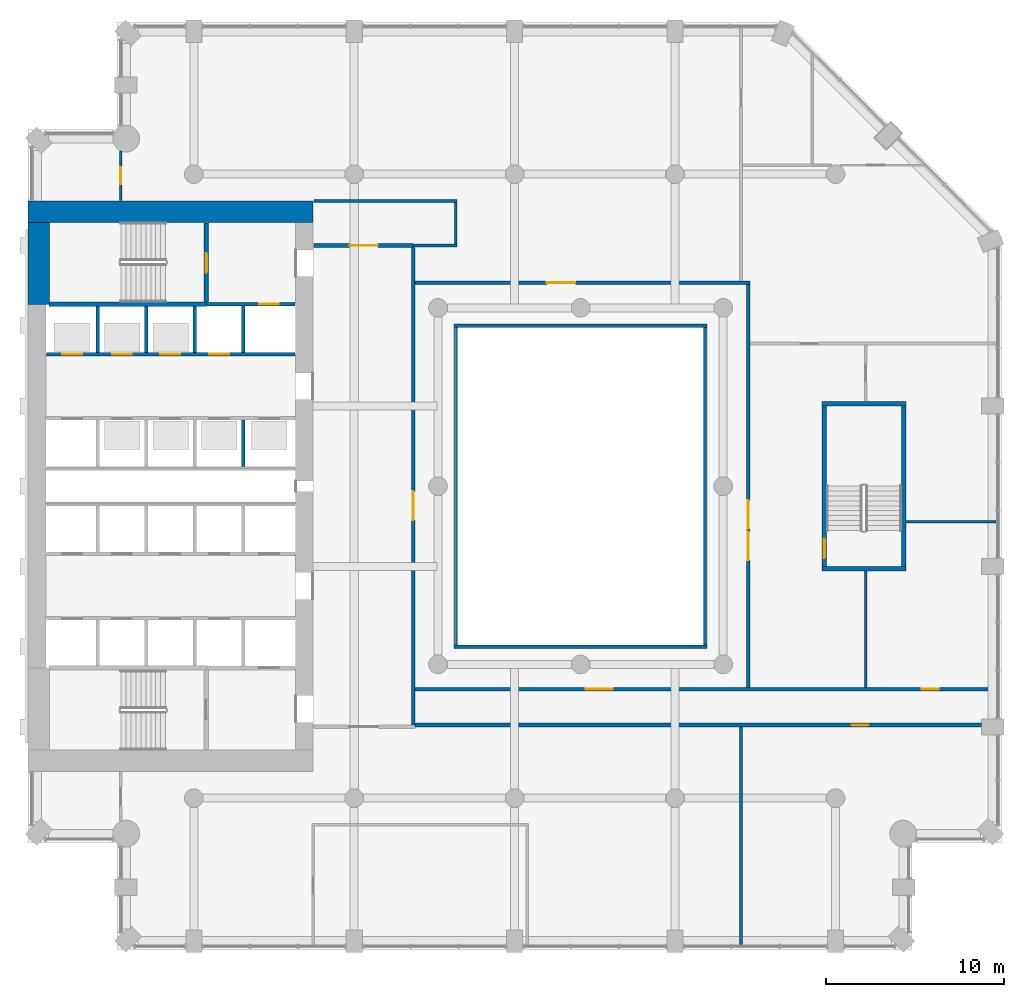
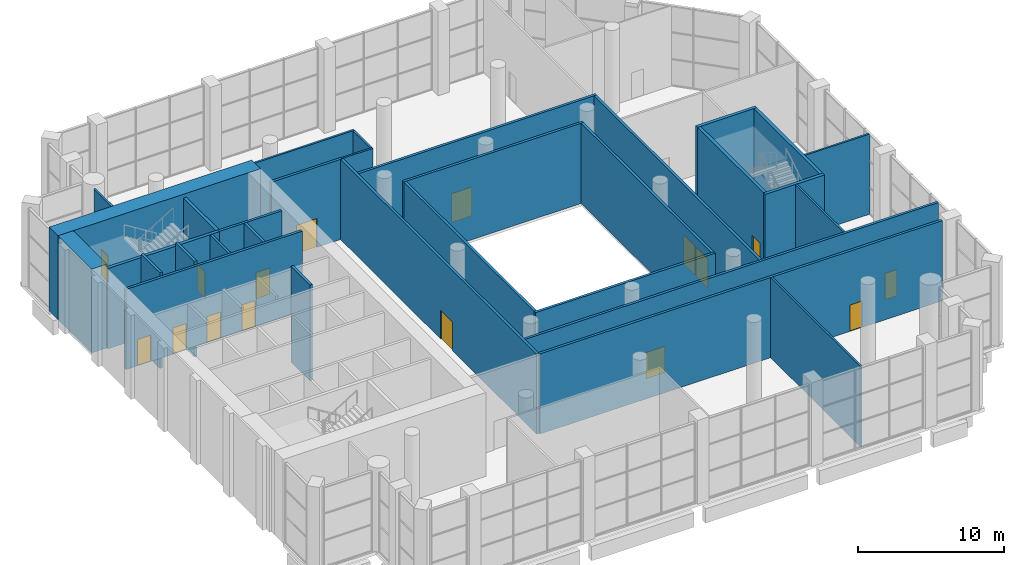
# One storey, part 13 of 22: 32 walls, 16 doors, 16 openings.
"""IFC4 building model written with IfcOpenShell, lengths in metres."""

from ifc_helpers import new_model, si_unit, direction, frame, frame_2d, origin, place, context, subcontext, project, spatial, rectangle, extrude, material, layer, layer_set, type_object, element, fill, save


model = new_model("IFC4")

# Units and contexts
model_context = context("Model", 3, precision=1e-05, world=origin(), true_north=direction((0.0, 1.0)))
body_context = subcontext(model_context, "Body", "Model", "MODEL_VIEW")
ifc_project = project(units=[si_unit("LENGTHUNIT", "METRE"), si_unit("AREAUNIT", "SQUARE_METRE"), si_unit("VOLUMEUNIT", "CUBIC_METRE"), si_unit("PLANEANGLEUNIT", "RADIAN"), si_unit("MASSUNIT", "GRAM", prefix="KILO")], contexts=[model_context])

# Site, building, storey
site_placement = place(None, origin())
site = spatial("IfcSite", under=ifc_project, at=site_placement, CompositionType="ELEMENT")
building_placement = place(site_placement, origin())
building = spatial("IfcBuilding", under=site, at=building_placement, Name="Cypress Arch Tower", CompositionType="ELEMENT")
storey_placement = place(building_placement, frame((0.0, 0.0, 145.5)))
storey = spatial("IfcBuildingStorey", under=building, at=storey_placement, Name="L32", CompositionType="ELEMENT", Elevation=145.5)

# Walls
ifc_material_1 = material(Name="Concrete C80/95", Category="concrete")
ifc_layer_1 = layer(ifc_material_1, 1.199951171875)
ifc_layer_set_1 = layer_set([ifc_layer_1], Name="Core wall CW1200 C80/95")
wall_type_1 = type_object("IfcWallType", Name="Core wall CW1200 C80/95", PredefinedType="SHEAR", material=ifc_layer_set_1)
wall_1_placement = place(storey_placement, frame((-30.0, 15.39990234375, 0.0), z_axis=(0.0, 0.0, 1.0), x_axis=(1.0, 0.0, 0.0)))
element("IfcWall", 1, at=wall_1_placement, inside=storey, type_object=wall_type_1, Name="Core wall", PredefinedType="SHEAR", context=body_context, shape_type="SweptSolid", body=[
    extrude(rectangle(XDim=16.0, YDim=1.199951171875, at=frame_2d((8.0, 0.0))), origin(), (0.0, 0.0, 1.0), 7.0),
])
wall_2_placement = place(storey_placement, frame((-29.39990234375, 10.199951171875, 0.0), z_axis=(0.0, 0.0, 1.0), x_axis=(0.0, 1.0, 0.0)))
element("IfcWall", 2, at=wall_2_placement, inside=storey, type_object=wall_type_1, Name="Core wall", PredefinedType="SHEAR", context=body_context, shape_type="SweptSolid", body=[
    extrude(rectangle(XDim=4.60009765625, YDim=1.199951171875, at=frame_2d((2.300048828125, 0.0))), origin(), (0.0, 0.0, 1.0), 7.0),
])

# Wall, opening, door
ifc_material_2 = material(Name="Concrete blockwork, plastered, rated", Category="masonry")
ifc_layer_2 = layer(ifc_material_2, 0.199951171875)
ifc_layer_set_2 = layer_set([ifc_layer_2], Name="Corridor wall FW200")
wall_type_2 = type_object("IfcWallType", Name="Corridor wall FW200", PredefinedType="PARTITIONING", material=ifc_layer_set_2)
wall_3_placement = place(storey_placement, frame((-13.969970703125, 13.5, 0.0), z_axis=(0.0, 0.0, 1.0), x_axis=(1.0, 0.0, 0.0)))
wall_3 = element("IfcWall", 3, at=wall_3_placement, inside=storey, type_object=wall_type_2, Name="Corridor wall", PredefinedType="PARTITIONING", context=body_context, shape_type="SweptSolid", body=[
    extrude(rectangle(XDim=5.570068359375, YDim=0.199951171875, at=frame_2d((2.78515625, 0.0))), origin(), (0.0, 0.0, 1.0), 6.699951171875),
])
opening_1_placement = place(wall_3_placement, frame((2.0, 0.0, 0.0)))
opening_1 = element("IfcOpeningElement", 4, at=opening_1_placement, cuts=wall_3, Name="Opening D10", PredefinedType="OPENING", context=body_context, shape_type="SweptSolid", body=[
    extrude(rectangle(XDim=1.60009765625, YDim=2.39990234375, at=frame_2d((0.800048828125, 1.199951171875))), frame((0.0, 0.10986328125, 0.0), z_axis=(0.0, -1.0, 0.0), x_axis=(1.0, 0.0, 0.0)), (0.0, 0.0, 1.0), 0.219970703125),
])
ifc_material_3 = material(Name="Black aluminium glazed door", Category="aluminium")
door_type_1 = type_object("IfcDoorType", Name="Amenity door D10 1600x2400", OperationType="DOUBLE_DOOR_SINGLE_SWING", PredefinedType="DOOR", material=ifc_material_3)
door_1_placement = place(opening_1_placement, origin())
door_1 = element("IfcDoor", 5, at=door_1_placement, inside=storey, type_object=door_type_1, Name="Amenity door", OperationType="DOUBLE_DOOR_SINGLE_SWING", OverallHeight=2.39990234375, OverallWidth=1.60009765625, PredefinedType="DOOR", context=body_context, shape_type="SweptSolid", body=[
    extrude(rectangle(XDim=1.60009765625, YDim=2.39990234375, at=frame_2d((0.800048828125, 1.199951171875))), frame((0.0, 0.02490234375, 0.0), z_axis=(0.0, -1.0, 0.0), x_axis=(1.0, 0.0, 0.0)), (0.0, 0.0, 1.0), 0.050048828125),
])
fill(opening_1, door_1)

wall_4_placement = place(storey_placement, frame((-8.39990234375, -13.39990234375, 0.0), z_axis=(0.0, 0.0, 1.0), x_axis=(0.0, 1.0, 0.0)))
wall_4 = element("IfcWall", 6, at=wall_4_placement, inside=storey, type_object=wall_type_2, Name="Corridor wall", PredefinedType="PARTITIONING", context=body_context, shape_type="SweptSolid", body=[
    extrude(rectangle(XDim=26.7998046875, YDim=0.199951171875, at=frame_2d((13.39990234375, 0.0))), origin(), (0.0, 0.0, 1.0), 6.699951171875),
])
opening_2_placement = place(wall_4_placement, frame((11.5, 0.0, 0.0)))
opening_2 = element("IfcOpeningElement", 7, at=opening_2_placement, cuts=wall_4, Name="Opening D10", PredefinedType="OPENING", context=body_context, shape_type="SweptSolid", body=[
    extrude(rectangle(XDim=1.60009765625, YDim=2.39990234375, at=frame_2d((0.800048828125, 1.199951171875))), frame((0.0, 0.10986328125, 0.0), z_axis=(0.0, -1.0, 0.0), x_axis=(1.0, 0.0, 0.0)), (0.0, 0.0, 1.0), 0.219970703125),
])
door_2_placement = place(opening_2_placement, origin())
door_2 = element("IfcDoor", 8, at=door_2_placement, inside=storey, type_object=door_type_1, Name="Amenity door", OperationType="DOUBLE_DOOR_SINGLE_SWING", OverallHeight=2.39990234375, OverallWidth=1.60009765625, PredefinedType="DOOR", context=body_context, shape_type="SweptSolid", body=[
    extrude(rectangle(XDim=1.60009765625, YDim=2.39990234375, at=frame_2d((0.800048828125, 1.199951171875))), frame((0.0, 0.02490234375, 0.0), z_axis=(0.0, -1.0, 0.0), x_axis=(1.0, 0.0, 0.0)), (0.0, 0.0, 1.0), 0.050048828125),
])
fill(opening_2, door_2)

wall_5_placement = place(storey_placement, frame((-8.300048828125, -13.39990234375, 0.0), z_axis=(0.0, 0.0, 1.0), x_axis=(1.0, 0.0, 0.0)))
wall_5 = element("IfcWall", 9, at=wall_5_placement, inside=storey, type_object=wall_type_2, Name="Corridor wall", PredefinedType="PARTITIONING", context=body_context, shape_type="SweptSolid", body=[
    extrude(rectangle(XDim=31.800048828125, YDim=0.199951171875, at=frame_2d((15.89990234375, 0.0))), origin(), (0.0, 0.0, 1.0), 6.699951171875),
])
opening_3_placement = place(wall_5_placement, frame((24.5, 0.0, 0.0)))
opening_3 = element("IfcOpeningElement", 10, at=opening_3_placement, cuts=wall_5, Name="Opening D02", PredefinedType="OPENING", context=body_context, shape_type="SweptSolid", body=[
    extrude(rectangle(XDim=0.949951171875, YDim=2.199951171875, at=frame_2d((0.47509765625, 1.10009765625))), frame((0.0, 0.10986328125, 0.0), z_axis=(0.0, -1.0, 0.0), x_axis=(1.0, 0.0, 0.0)), (0.0, 0.0, 1.0), 0.219970703125),
])
ifc_material_4 = material(Name="Timber flush door, fire resisting", Category="wood")
door_type_2 = type_object("IfcDoorType", Name="Room door D02 950x2200", OperationType="SINGLE_SWING_LEFT", PredefinedType="DOOR", material=ifc_material_4)
door_3_placement = place(opening_3_placement, origin())
door_3 = element("IfcDoor", 11, at=door_3_placement, inside=storey, type_object=door_type_2, Name="Room door", OperationType="SINGLE_SWING_LEFT", OverallHeight=2.199951171875, OverallWidth=0.949951171875, PredefinedType="DOOR", context=body_context, shape_type="SweptSolid", body=[
    extrude(rectangle(XDim=0.949951171875, YDim=2.199951171875, at=frame_2d((0.47509765625, 1.10009765625))), frame((0.0, 0.02490234375, 0.0), z_axis=(0.0, -1.0, 0.0), x_axis=(1.0, 0.0, 0.0)), (0.0, 0.0, 1.0), 0.050048828125),
])
fill(opening_3, door_3)

# Wall, openings, doors
wall_6_placement = place(storey_placement, frame((-8.300048828125, -11.39990234375, 0.0), z_axis=(0.0, 0.0, 1.0), x_axis=(1.0, 0.0, 0.0)))
wall_6 = element("IfcWall", 12, at=wall_6_placement, inside=storey, type_object=wall_type_2, Name="Corridor wall", PredefinedType="PARTITIONING", context=body_context, shape_type="SweptSolid", body=[
    extrude(rectangle(XDim=32.655029296875, YDim=0.199951171875, at=frame_2d((16.32763671875, 0.0))), origin(), (0.0, 0.0, 1.0), 6.699951171875),
])
opening_4_placement = place(wall_6_placement, frame((9.60009765625, 0.0, 0.0)))
opening_4 = element("IfcOpeningElement", 13, at=opening_4_placement, cuts=wall_6, Name="Opening D04", PredefinedType="OPENING", context=body_context, shape_type="SweptSolid", body=[
    extrude(rectangle(XDim=1.5, YDim=2.199951171875, at=frame_2d((0.75, 1.10009765625))), frame((0.0, 0.10986328125, 0.0), z_axis=(0.0, -1.0, 0.0), x_axis=(1.0, 0.0, 0.0)), (0.0, 0.0, 1.0), 0.219970703125),
])
opening_5_placement = place(wall_6_placement, frame((28.449951171875, 0.0, 0.0)))
opening_5 = element("IfcOpeningElement", 14, at=opening_5_placement, cuts=wall_6, Name="Opening D02", PredefinedType="OPENING", context=body_context, shape_type="SweptSolid", body=[
    extrude(rectangle(XDim=0.949951171875, YDim=2.199951171875, at=frame_2d((0.47509765625, 1.10009765625))), frame((0.0, 0.10986328125, 0.0), z_axis=(0.0, -1.0, 0.0), x_axis=(1.0, 0.0, 0.0)), (0.0, 0.0, 1.0), 0.219970703125),
])
ifc_material_5 = material(Name="Timber double door", Category="wood")
door_type_3 = type_object("IfcDoorType", Name="Double door D04 1500x2200", OperationType="DOUBLE_DOOR_SINGLE_SWING", PredefinedType="DOOR", material=ifc_material_5)
door_4_placement = place(opening_4_placement, origin())
door_4 = element("IfcDoor", 15, at=door_4_placement, inside=storey, type_object=door_type_3, Name="Double door", OperationType="DOUBLE_DOOR_SINGLE_SWING", OverallHeight=2.199951171875, OverallWidth=1.5, PredefinedType="DOOR", context=body_context, shape_type="SweptSolid", body=[
    extrude(rectangle(XDim=1.5, YDim=2.199951171875, at=frame_2d((0.75, 1.10009765625))), frame((0.0, 0.02490234375, 0.0), z_axis=(0.0, -1.0, 0.0), x_axis=(1.0, 0.0, 0.0)), (0.0, 0.0, 1.0), 0.050048828125),
])
fill(opening_4, door_4)
door_5_placement = place(opening_5_placement, origin())
door_5 = element("IfcDoor", 16, at=door_5_placement, inside=storey, type_object=door_type_2, Name="Room door", OperationType="SINGLE_SWING_RIGHT", OverallHeight=2.199951171875, OverallWidth=0.949951171875, PredefinedType="DOOR", context=body_context, shape_type="SweptSolid", body=[
    extrude(rectangle(XDim=0.949951171875, YDim=2.199951171875, at=frame_2d((0.47509765625, 1.10009765625))), frame((0.0, 0.02490234375, 0.0), z_axis=(0.0, -1.0, 0.0), x_axis=(1.0, 0.0, 0.0)), (0.0, 0.0, 1.0), 0.050048828125),
])
fill(opening_5, door_5)

# Wall, opening, door
wall_7_placement = place(storey_placement, frame((-8.300048828125, 11.39990234375, 0.0), z_axis=(0.0, 0.0, 1.0), x_axis=(1.0, 0.0, 0.0)))
wall_7 = element("IfcWall", 17, at=wall_7_placement, inside=storey, type_object=wall_type_2, Name="Corridor wall", PredefinedType="PARTITIONING", context=body_context, shape_type="SweptSolid", body=[
    extrude(rectangle(XDim=18.800048828125, YDim=0.199951171875, at=frame_2d((9.39990234375, 0.0))), origin(), (0.0, 0.0, 1.0), 6.699951171875),
])
opening_6_placement = place(wall_7_placement, frame((7.39990234375, 0.0, 0.0)))
opening_6 = element("IfcOpeningElement", 18, at=opening_6_placement, cuts=wall_7, Name="Opening D10", PredefinedType="OPENING", context=body_context, shape_type="SweptSolid", body=[
    extrude(rectangle(XDim=1.60009765625, YDim=2.39990234375, at=frame_2d((0.800048828125, 1.199951171875))), frame((0.0, 0.10986328125, 0.0), z_axis=(0.0, -1.0, 0.0), x_axis=(1.0, 0.0, 0.0)), (0.0, 0.0, 1.0), 0.219970703125),
])
door_6_placement = place(opening_6_placement, origin())
door_6 = element("IfcDoor", 19, at=door_6_placement, inside=storey, type_object=door_type_1, Name="Amenity door", OperationType="DOUBLE_DOOR_SINGLE_SWING", OverallHeight=2.39990234375, OverallWidth=1.60009765625, PredefinedType="DOOR", context=body_context, shape_type="SweptSolid", body=[
    extrude(rectangle(XDim=1.60009765625, YDim=2.39990234375, at=frame_2d((0.800048828125, 1.199951171875))), frame((0.0, 0.02490234375, 0.0), z_axis=(0.0, -1.0, 0.0), x_axis=(1.0, 0.0, 0.0)), (0.0, 0.0, 1.0), 0.050048828125),
])
fill(opening_6, door_6)

# Walls
wall_8_placement = place(storey_placement, frame((-6.0, -8.89990234375, 0.0), z_axis=(0.0, 0.0, 1.0), x_axis=(0.0, 1.0, 0.0)))
element("IfcWall", 20, at=wall_8_placement, inside=storey, type_object=wall_type_2, Name="Corridor wall", PredefinedType="PARTITIONING", context=body_context, shape_type="SweptSolid", body=[
    extrude(rectangle(XDim=17.7998046875, YDim=0.199951171875, at=frame_2d((8.89990234375, 0.0))), origin(), (0.0, 0.0, 1.0), 6.699951171875),
])
for number, where, z_axis, x_axis, name in (
    (21, (-6.10009765625, -9.0, 0.0), (0.0, 0.0, 1.0), (1.0, 0.0, 0.0), "Corridor wall"),
    (22, (-6.10009765625, 9.0, 0.0), (0.0, 0.0, 1.0), (1.0, 0.0, 0.0), "Corridor wall"),
):
    element("IfcWall", number, at=place(storey_placement, frame(where, z_axis=z_axis, x_axis=x_axis)), inside=storey, type_object=wall_type_2, Name=name, PredefinedType="PARTITIONING", context=body_context, shape_type="SweptSolid", body=[
        extrude(rectangle(XDim=14.2001953125, YDim=0.199951171875, at=frame_2d((7.10009765625, 0.0))), origin(), (0.0, 0.0, 1.0), 6.699951171875),
    ])
wall_9_placement = place(storey_placement, frame((8.0, -8.89990234375, 0.0), z_axis=(0.0, 0.0, 1.0), x_axis=(0.0, 1.0, 0.0)))
element("IfcWall", 23, at=wall_9_placement, inside=storey, type_object=wall_type_2, Name="Corridor wall", PredefinedType="PARTITIONING", context=body_context, shape_type="SweptSolid", body=[
    extrude(rectangle(XDim=17.7998046875, YDim=0.199951171875, at=frame_2d((8.89990234375, 0.0))), origin(), (0.0, 0.0, 1.0), 6.699951171875),
])

# Wall, openings, doors
wall_10_placement = place(storey_placement, frame((10.39990234375, -11.300048828125, 0.0), z_axis=(0.0, 0.0, 1.0), x_axis=(0.0, 1.0, 0.0)))
wall_10 = element("IfcWall", 24, at=wall_10_placement, inside=storey, type_object=wall_type_2, Name="Corridor wall", PredefinedType="PARTITIONING", context=body_context, shape_type="SweptSolid", body=[
    extrude(rectangle(XDim=22.60009765625, YDim=0.199951171875, at=frame_2d((11.300048828125, 0.0))), origin(), (0.0, 0.0, 1.0), 6.699951171875),
])
opening_7_placement = place(wall_10_placement, frame((8.89990234375, 0.0, 0.0)))
opening_7 = element("IfcOpeningElement", 25, at=opening_7_placement, cuts=wall_10, Name="Opening D10", PredefinedType="OPENING", context=body_context, shape_type="SweptSolid", body=[
    extrude(rectangle(XDim=1.60009765625, YDim=2.39990234375, at=frame_2d((0.800048828125, 1.199951171875))), frame((0.0, 0.10986328125, 0.0), z_axis=(0.0, -1.0, 0.0), x_axis=(1.0, 0.0, 0.0)), (0.0, 0.0, 1.0), 0.219970703125),
])
opening_8_placement = place(wall_10_placement, frame((7.14990234375, 0.0, 0.0)))
opening_8 = element("IfcOpeningElement", 26, at=opening_8_placement, cuts=wall_10, Name="Opening D10", PredefinedType="OPENING", context=body_context, shape_type="SweptSolid", body=[
    extrude(rectangle(XDim=1.60009765625, YDim=2.39990234375, at=frame_2d((0.800048828125, 1.199951171875))), frame((0.0, 0.10986328125, 0.0), z_axis=(0.0, -1.0, 0.0), x_axis=(1.0, 0.0, 0.0)), (0.0, 0.0, 1.0), 0.219970703125),
])
door_7_placement = place(opening_7_placement, origin())
door_7 = element("IfcDoor", 27, at=door_7_placement, inside=storey, type_object=door_type_1, Name="Amenity door", OperationType="DOUBLE_DOOR_SINGLE_SWING", OverallHeight=2.39990234375, OverallWidth=1.60009765625, PredefinedType="DOOR", context=body_context, shape_type="SweptSolid", body=[
    extrude(rectangle(XDim=1.60009765625, YDim=2.39990234375, at=frame_2d((0.800048828125, 1.199951171875))), frame((0.0, 0.02490234375, 0.0), z_axis=(0.0, -1.0, 0.0), x_axis=(1.0, 0.0, 0.0)), (0.0, 0.0, 1.0), 0.050048828125),
])
fill(opening_7, door_7)
door_8_placement = place(opening_8_placement, origin())
door_8 = element("IfcDoor", 28, at=door_8_placement, inside=storey, type_object=door_type_1, Name="Amenity door", OperationType="DOUBLE_DOOR_SINGLE_SWING", OverallHeight=2.39990234375, OverallWidth=1.60009765625, PredefinedType="DOOR", context=body_context, shape_type="SweptSolid", body=[
    extrude(rectangle(XDim=1.60009765625, YDim=2.39990234375, at=frame_2d((0.800048828125, 1.199951171875))), frame((0.0, 0.02490234375, 0.0), z_axis=(0.0, -1.0, 0.0), x_axis=(1.0, 0.0, 0.0)), (0.0, 0.0, 1.0), 0.050048828125),
])
fill(opening_8, door_8)

# Wall, opening, door
ifc_material_6 = material(Name="Blockwork, plastered both sides", Category="masonry")
ifc_layer_3 = layer(ifc_material_6, 0.14990234375)
ifc_layer_set_3 = layer_set([ifc_layer_3], Name="Partition PW150")
wall_type_3 = type_object("IfcWallType", Name="Partition PW150", PredefinedType="PARTITIONING", material=ifc_layer_set_3)
wall_11_placement = place(storey_placement, frame((-24.800048828125, 16.030029296875, 0.0), z_axis=(0.0, 0.0, 1.0), x_axis=(0.0, 1.0, 0.0)))
wall_11 = element("IfcWall", 29, at=wall_11_placement, inside=storey, type_object=wall_type_3, Name="Partition", PredefinedType="PARTITIONING", context=body_context, shape_type="SweptSolid", body=[
    extrude(rectangle(XDim=2.75830078125, YDim=0.14990234375, at=frame_2d((1.379150390625, 0.0))), origin(), (0.0, 0.0, 1.0), 6.699951171875),
])
opening_9_placement = place(wall_11_placement, frame((0.89990234375, 0.0, 0.0)))
opening_9 = element("IfcOpeningElement", 30, at=opening_9_placement, cuts=wall_11, Name="Opening D12", PredefinedType="OPENING", context=body_context, shape_type="SweptSolid", body=[
    extrude(rectangle(XDim=0.949951171875, YDim=2.199951171875, at=frame_2d((0.47509765625, 1.10009765625))), frame((0.0, 0.0849609375, 0.0), z_axis=(0.0, -1.0, 0.0), x_axis=(1.0, 0.0, 0.0)), (0.0, 0.0, 1.0), 0.169921875),
])
ifc_material_7 = material(Name="Timber flush door", Category="wood")
door_type_4 = type_object("IfcDoorType", Name="Room door D12 950x2200", OperationType="SINGLE_SWING_LEFT", PredefinedType="DOOR", material=ifc_material_7)
door_9_placement = place(opening_9_placement, origin())
door_9 = element("IfcDoor", 31, at=door_9_placement, inside=storey, type_object=door_type_4, Name="Room door", OperationType="SINGLE_SWING_LEFT", OverallHeight=2.199951171875, OverallWidth=0.949951171875, PredefinedType="DOOR", context=body_context, shape_type="SweptSolid", body=[
    extrude(rectangle(XDim=0.949951171875, YDim=2.199951171875, at=frame_2d((0.47509765625, 1.10009765625))), frame((0.0, 0.02490234375, 0.0), z_axis=(0.0, -1.0, 0.0), x_axis=(1.0, 0.0, 0.0)), (0.0, 0.0, 1.0), 0.050048828125),
])
fill(opening_9, door_9)

# Walls
wall_12_placement = place(storey_placement, frame((-13.969970703125, 16.0, 0.0), z_axis=(0.0, 0.0, 1.0), x_axis=(1.0, 0.0, 0.0)))
element("IfcWall", 32, at=wall_12_placement, inside=storey, type_object=wall_type_3, Name="Partition", PredefinedType="PARTITIONING", context=body_context, shape_type="SweptSolid", body=[
    extrude(rectangle(XDim=8.044921875, YDim=0.14990234375, at=frame_2d((4.0224609375, 0.0))), origin(), (0.0, 0.0, 1.0), 6.699951171875),
])
wall_13_placement = place(storey_placement, frame((-8.39990234375, 13.5, 0.0), z_axis=(0.0, 0.0, 1.0), x_axis=(1.0, 0.0, 0.0)))
element("IfcWall", 33, at=wall_13_placement, inside=storey, type_object=wall_type_3, Name="Partition", PredefinedType="PARTITIONING", context=body_context, shape_type="SweptSolid", body=[
    extrude(rectangle(XDim=2.474853515625, YDim=0.14990234375, at=frame_2d((1.2373046875, 0.0))), origin(), (0.0, 0.0, 1.0), 6.699951171875),
])
wall_14_placement = place(storey_placement, frame((-6.0, 13.574951171875, 0.0), z_axis=(0.0, 0.0, 1.0), x_axis=(0.0, 1.0, 0.0)))
element("IfcWall", 34, at=wall_14_placement, inside=storey, type_object=wall_type_3, Name="Partition", PredefinedType="PARTITIONING", context=body_context, shape_type="SweptSolid", body=[
    extrude(rectangle(XDim=2.35009765625, YDim=0.14990234375, at=frame_2d((1.175048828125, 0.0))), origin(), (0.0, 0.0, 1.0), 6.699951171875),
])
wall_15_placement = place(storey_placement, frame((10.0, -25.7548828125, 0.0), z_axis=(0.0, 0.0, 1.0), x_axis=(0.0, 1.0, 0.0)))
element("IfcWall", 35, at=wall_15_placement, inside=storey, type_object=wall_type_3, Name="Partition", PredefinedType="PARTITIONING", context=body_context, shape_type="SweptSolid", body=[
    extrude(rectangle(XDim=12.2548828125, YDim=0.14990234375, at=frame_2d((6.12744140625, 0.0))), origin(), (0.0, 0.0, 1.0), 6.699951171875),
])
wall_16_placement = place(storey_placement, frame((17.0, -11.300048828125, 0.0), z_axis=(0.0, 0.0, 1.0), x_axis=(0.0, 1.0, 0.0)))
element("IfcWall", 36, at=wall_16_placement, inside=storey, type_object=wall_type_3, Name="Partition", PredefinedType="PARTITIONING", context=body_context, shape_type="SweptSolid", body=[
    extrude(rectangle(XDim=6.550048828125, YDim=0.14990234375, at=frame_2d((3.27490234375, 0.0))), origin(), (0.0, 0.0, 1.0), 6.699951171875),
])
wall_17_placement = place(storey_placement, frame((19.25, -2.0, 0.0), z_axis=(0.0, 0.0, 1.0), x_axis=(1.0, 0.0, 0.0)))
element("IfcWall", 37, at=wall_17_placement, inside=storey, type_object=wall_type_3, Name="Partition", PredefinedType="PARTITIONING", context=body_context, shape_type="SweptSolid", body=[
    extrude(rectangle(XDim=5.10498046875, YDim=0.14990234375, at=frame_2d((2.552490234375, 0.0))), origin(), (0.0, 0.0, 1.0), 6.699951171875),
])

# Wall, openings, doors
ifc_material_8 = material(Name="Concrete C50/60", Category="concrete")
ifc_layer_4 = layer(ifc_material_8, 0.199951171875)
ifc_layer_set_4 = layer_set([ifc_layer_4], Name="Shaft wall SH200")
wall_type_4 = type_object("IfcWallType", Name="Shaft wall SH200", PredefinedType="SHEAR", material=ifc_layer_set_4)
wall_18_placement = place(storey_placement, frame((-28.969970703125, 7.39990234375, 0.0), z_axis=(0.0, 0.0, 1.0), x_axis=(1.0, 0.0, 0.0)))
wall_18 = element("IfcWall", 38, at=wall_18_placement, inside=storey, type_object=wall_type_4, Name="Shaft wall", PredefinedType="SHEAR", context=body_context, shape_type="SweptSolid", body=[
    extrude(rectangle(XDim=13.93994140625, YDim=0.199951171875, at=frame_2d((6.969970703125, 0.0))), origin(), (0.0, 0.0, 1.0), 6.699951171875),
])
opening_10_placement = place(wall_18_placement, frame((0.89990234375, 0.0, 0.0)))
opening_10 = element("IfcOpeningElement", 39, at=opening_10_placement, cuts=wall_18, Name="Opening LD-HR5", PredefinedType="OPENING", context=body_context, shape_type="SweptSolid", body=[
    extrude(rectangle(XDim=1.10009765625, YDim=2.199951171875, at=frame_2d((0.550048828125, 1.10009765625))), frame((0.0, 0.10986328125, 0.0), z_axis=(0.0, -1.0, 0.0), x_axis=(1.0, 0.0, 0.0)), (0.0, 0.0, 1.0), 0.219970703125),
])
opening_11_placement = place(wall_18_placement, frame((3.699951171875, 0.0, 0.0)))
opening_11 = element("IfcOpeningElement", 40, at=opening_11_placement, cuts=wall_18, Name="Opening LD-HR6", PredefinedType="OPENING", context=body_context, shape_type="SweptSolid", body=[
    extrude(rectangle(XDim=1.10009765625, YDim=2.199951171875, at=frame_2d((0.550048828125, 1.10009765625))), frame((0.0, 0.10986328125, 0.0), z_axis=(0.0, -1.0, 0.0), x_axis=(1.0, 0.0, 0.0)), (0.0, 0.0, 1.0), 0.219970703125),
])
opening_12_placement = place(wall_18_placement, frame((6.39990234375, 0.0, 0.0)))
opening_12 = element("IfcOpeningElement", 41, at=opening_12_placement, cuts=wall_18, Name="Opening LD-HR7", PredefinedType="OPENING", context=body_context, shape_type="SweptSolid", body=[
    extrude(rectangle(XDim=1.10009765625, YDim=2.199951171875, at=frame_2d((0.550048828125, 1.10009765625))), frame((0.0, 0.10986328125, 0.0), z_axis=(0.0, -1.0, 0.0), x_axis=(1.0, 0.0, 0.0)), (0.0, 0.0, 1.0), 0.219970703125),
])
opening_13_placement = place(wall_18_placement, frame((9.14990234375, 0.0, 0.0)))
opening_13 = element("IfcOpeningElement", 42, at=opening_13_placement, cuts=wall_18, Name="Opening LD-SH3", PredefinedType="OPENING", context=body_context, shape_type="SweptSolid", body=[
    extrude(rectangle(XDim=1.10009765625, YDim=2.199951171875, at=frame_2d((0.550048828125, 1.10009765625))), frame((0.0, 0.10986328125, 0.0), z_axis=(0.0, -1.0, 0.0), x_axis=(1.0, 0.0, 0.0)), (0.0, 0.0, 1.0), 0.219970703125),
])
ifc_material_9 = material(Name="Stainless steel centre-opening landing door, rated", Category="steel")
door_type_5 = type_object("IfcDoorType", Name="Lift landing door LD 1100x2200", OperationType="DOUBLE_DOOR_SLIDING", PredefinedType="DOOR", material=ifc_material_9)
door_10_placement = place(opening_10_placement, origin())
door_10 = element("IfcDoor", 43, at=door_10_placement, inside=storey, type_object=door_type_5, Name="Lift landing doors HR5", OperationType="DOUBLE_DOOR_SLIDING", OverallHeight=2.199951171875, OverallWidth=1.10009765625, PredefinedType="DOOR", context=body_context, shape_type="SweptSolid", body=[
    extrude(rectangle(XDim=1.10009765625, YDim=2.199951171875, at=frame_2d((0.550048828125, 1.10009765625))), frame((0.0, 0.02490234375, 0.0), z_axis=(0.0, -1.0, 0.0), x_axis=(1.0, 0.0, 0.0)), (0.0, 0.0, 1.0), 0.050048828125),
])
fill(opening_10, door_10)
door_11_placement = place(opening_11_placement, origin())
door_11 = element("IfcDoor", 44, at=door_11_placement, inside=storey, type_object=door_type_5, Name="Lift landing doors HR6", OperationType="DOUBLE_DOOR_SLIDING", OverallHeight=2.199951171875, OverallWidth=1.10009765625, PredefinedType="DOOR", context=body_context, shape_type="SweptSolid", body=[
    extrude(rectangle(XDim=1.10009765625, YDim=2.199951171875, at=frame_2d((0.550048828125, 1.10009765625))), frame((0.0, 0.02490234375, 0.0), z_axis=(0.0, -1.0, 0.0), x_axis=(1.0, 0.0, 0.0)), (0.0, 0.0, 1.0), 0.050048828125),
])
fill(opening_11, door_11)
door_12_placement = place(opening_12_placement, origin())
door_12 = element("IfcDoor", 45, at=door_12_placement, inside=storey, type_object=door_type_5, Name="Lift landing doors HR7", OperationType="DOUBLE_DOOR_SLIDING", OverallHeight=2.199951171875, OverallWidth=1.10009765625, PredefinedType="DOOR", context=body_context, shape_type="SweptSolid", body=[
    extrude(rectangle(XDim=1.10009765625, YDim=2.199951171875, at=frame_2d((0.550048828125, 1.10009765625))), frame((0.0, 0.02490234375, 0.0), z_axis=(0.0, -1.0, 0.0), x_axis=(1.0, 0.0, 0.0)), (0.0, 0.0, 1.0), 0.050048828125),
])
fill(opening_12, door_12)
door_13_placement = place(opening_13_placement, origin())
door_13 = element("IfcDoor", 46, at=door_13_placement, inside=storey, type_object=door_type_5, Name="Lift landing doors SH3", OperationType="DOUBLE_DOOR_SLIDING", OverallHeight=2.199951171875, OverallWidth=1.10009765625, PredefinedType="DOOR", context=body_context, shape_type="SweptSolid", body=[
    extrude(rectangle(XDim=1.10009765625, YDim=2.199951171875, at=frame_2d((0.550048828125, 1.10009765625))), frame((0.0, 0.02490234375, 0.0), z_axis=(0.0, -1.0, 0.0), x_axis=(1.0, 0.0, 0.0)), (0.0, 0.0, 1.0), 0.050048828125),
])
fill(opening_13, door_13)

# Walls
for number, where, z_axis, x_axis, name in (
    (47, (-26.080078125, 7.5, -1.0), (0.0, 0.0, 1.0), (0.0, 1.0, 0.0), "Shaft wall"),
    (48, (-23.360107421875, 7.5, -1.0), (0.0, 0.0, 1.0), (0.0, 1.0, 0.0), "Shaft wall"),
):
    element("IfcWall", number, at=place(storey_placement, frame(where, z_axis=z_axis, x_axis=x_axis)), inside=storey, type_object=wall_type_4, Name=name, PredefinedType="SHEAR", context=body_context, shape_type="SweptSolid", body=[
        extrude(rectangle(XDim=2.574951171875, YDim=0.199951171875, at=frame_2d((1.28759765625, 0.0))), origin(), (0.0, 0.0, 1.0), 8.0),
    ])
wall_19_placement = place(storey_placement, frame((-20.639892578125, 7.5, 0.0), z_axis=(0.0, 0.0, 1.0), x_axis=(0.0, 1.0, 0.0)))
element("IfcWall", 49, at=wall_19_placement, inside=storey, type_object=wall_type_4, Name="Shaft wall", PredefinedType="SHEAR", context=body_context, shape_type="SweptSolid", body=[
    extrude(rectangle(XDim=2.574951171875, YDim=0.199951171875, at=frame_2d((1.28759765625, 0.0))), origin(), (0.0, 0.0, 1.0), 6.699951171875),
])

# Wall, opening, door
wall_20_placement = place(storey_placement, frame((-19.97998046875, 10.199951171875, 0.0), z_axis=(0.0, 0.0, 1.0), x_axis=(1.0, 0.0, 0.0)))
wall_20 = element("IfcWall", 50, at=wall_20_placement, inside=storey, type_object=wall_type_4, Name="Shaft wall", PredefinedType="SHEAR", context=body_context, shape_type="SweptSolid", body=[
    extrude(rectangle(XDim=4.949951171875, YDim=0.199951171875, at=frame_2d((2.47509765625, 0.0))), origin(), (0.0, 0.0, 1.0), 6.699951171875),
])
opening_14_placement = place(wall_20_placement, frame((2.949951171875, 0.0, 0.0)))
opening_14 = element("IfcOpeningElement", 51, at=opening_14_placement, cuts=wall_20, Name="Opening LD-FL2", PredefinedType="OPENING", context=body_context, shape_type="SweptSolid", body=[
    extrude(rectangle(XDim=1.10009765625, YDim=2.199951171875, at=frame_2d((0.550048828125, 1.10009765625))), frame((0.0, 0.10986328125, 0.0), z_axis=(0.0, -1.0, 0.0), x_axis=(1.0, 0.0, 0.0)), (0.0, 0.0, 1.0), 0.219970703125),
])
door_14_placement = place(opening_14_placement, origin())
door_14 = element("IfcDoor", 52, at=door_14_placement, inside=storey, type_object=door_type_5, Name="Lift landing doors FL2", OperationType="DOUBLE_DOOR_SLIDING", OverallHeight=2.199951171875, OverallWidth=1.10009765625, PredefinedType="DOOR", context=body_context, shape_type="SweptSolid", body=[
    extrude(rectangle(XDim=1.10009765625, YDim=2.199951171875, at=frame_2d((0.550048828125, 1.10009765625))), frame((0.0, 0.02490234375, 0.0), z_axis=(0.0, -1.0, 0.0), x_axis=(1.0, 0.0, 0.0)), (0.0, 0.0, 1.0), 0.050048828125),
])
fill(opening_14, door_14)

# Walls
wall_21_placement = place(storey_placement, frame((-17.919921875, 1.10009765625, -1.0), z_axis=(0.0, 0.0, 1.0), x_axis=(0.0, 1.0, 0.0)))
element("IfcWall", 53, at=wall_21_placement, inside=storey, type_object=wall_type_4, Name="Shaft wall", PredefinedType="SHEAR", context=body_context, shape_type="SweptSolid", body=[
    extrude(rectangle(XDim=2.599853515625, YDim=0.199951171875, at=frame_2d((1.2998046875, 0.0))), origin(), (0.0, 0.0, 1.0), 8.0),
])
wall_22_placement = place(storey_placement, frame((-17.919921875, 7.5, 0.0), z_axis=(0.0, 0.0, 1.0), x_axis=(0.0, 1.0, 0.0)))
element("IfcWall", 54, at=wall_22_placement, inside=storey, type_object=wall_type_4, Name="Shaft wall", PredefinedType="SHEAR", context=body_context, shape_type="SweptSolid", body=[
    extrude(rectangle(XDim=2.60009765625, YDim=0.199951171875, at=frame_2d((1.300048828125, 0.0))), origin(), (0.0, 0.0, 1.0), 6.699951171875),
])
ifc_material_10 = material(Name="Concrete C50/60", Category="concrete")
ifc_layer_5 = layer(ifc_material_10, 0.25)
ifc_layer_set_5 = layer_set([ifc_layer_5], Name="Stair enclosure wall SW250")
wall_type_5 = type_object("IfcWallType", Name="Stair enclosure wall SW250", PredefinedType="SHEAR", material=ifc_layer_set_5)
wall_23_placement = place(storey_placement, frame((-28.81005859375, 10.199951171875, 0.0), z_axis=(0.0, 0.0, 1.0), x_axis=(1.0, 0.0, 0.0)))
element("IfcWall", 55, at=wall_23_placement, inside=storey, type_object=wall_type_5, Name="Stair enclosure wall", PredefinedType="SHEAR", context=body_context, shape_type="SweptSolid", body=[
    extrude(rectangle(XDim=8.830078125, YDim=0.25, at=frame_2d((4.4150390625, 0.0))), origin(), (0.0, 0.0, 1.0), 6.699951171875),
])

# Wall, opening, door
wall_24_placement = place(storey_placement, frame((-20.0, 10.324951171875, 0.0), z_axis=(0.0, 0.0, 1.0), x_axis=(0.0, 1.0, 0.0)))
wall_24 = element("IfcWall", 56, at=wall_24_placement, inside=storey, type_object=wall_type_5, Name="Stair enclosure wall", PredefinedType="SHEAR", context=body_context, shape_type="SweptSolid", body=[
    extrude(rectangle(XDim=4.445068359375, YDim=0.25, at=frame_2d((2.22265625, 0.0))), origin(), (0.0, 0.0, 1.0), 6.699951171875),
])
opening_15_placement = place(wall_24_placement, frame((1.64990234375, 0.0, 0.0)))
opening_15 = element("IfcOpeningElement", 57, at=opening_15_placement, cuts=wall_24, Name="Opening D06", PredefinedType="OPENING", context=body_context, shape_type="SweptSolid", body=[
    extrude(rectangle(XDim=1.10009765625, YDim=2.199951171875, at=frame_2d((0.550048828125, 1.10009765625))), frame((0.0, 0.135009765625, 0.0), z_axis=(0.0, -1.0, 0.0), x_axis=(1.0, 0.0, 0.0)), (0.0, 0.0, 1.0), 0.27001953125),
])
ifc_material_11 = material(Name="Steel door, fire resisting, panic bar", Category="steel")
door_type_6 = type_object("IfcDoorType", Name="Stair door D06 1100x2200", OperationType="SINGLE_SWING_LEFT", PredefinedType="DOOR", material=ifc_material_11)
door_15_placement = place(opening_15_placement, origin())
door_15 = element("IfcDoor", 58, at=door_15_placement, inside=storey, type_object=door_type_6, Name="Stair door", OperationType="SINGLE_SWING_LEFT", OverallHeight=2.199951171875, OverallWidth=1.10009765625, PredefinedType="DOOR", context=body_context, shape_type="SweptSolid", body=[
    extrude(rectangle(XDim=1.10009765625, YDim=2.199951171875, at=frame_2d((0.550048828125, 1.10009765625))), frame((0.0, 0.02490234375, 0.0), z_axis=(0.0, -1.0, 0.0), x_axis=(1.0, 0.0, 0.0)), (0.0, 0.0, 1.0), 0.050048828125),
])
fill(opening_15, door_15)

wall_25_placement = place(storey_placement, frame((14.675048828125, -4.5, 0.0), z_axis=(0.0, 0.0, 1.0), x_axis=(0.0, 1.0, 0.0)))
wall_25 = element("IfcWall", 59, at=wall_25_placement, inside=storey, type_object=wall_type_5, Name="Stair enclosure wall", PredefinedType="SHEAR", context=body_context, shape_type="SweptSolid", body=[
    extrude(rectangle(XDim=9.0, YDim=0.25, at=frame_2d((4.5, 0.0))), origin(), (0.0, 0.0, 1.0), 6.699951171875),
])
opening_16_placement = place(wall_25_placement, frame((0.449951171875, 0.0, 0.0)))
opening_16 = element("IfcOpeningElement", 60, at=opening_16_placement, cuts=wall_25, Name="Opening D06", PredefinedType="OPENING", context=body_context, shape_type="SweptSolid", body=[
    extrude(rectangle(XDim=1.10009765625, YDim=2.199951171875, at=frame_2d((0.550048828125, 1.10009765625))), frame((0.0, 0.135009765625, 0.0), z_axis=(0.0, -1.0, 0.0), x_axis=(1.0, 0.0, 0.0)), (0.0, 0.0, 1.0), 0.27001953125),
])
door_16_placement = place(opening_16_placement, origin())
door_16 = element("IfcDoor", 61, at=door_16_placement, inside=storey, type_object=door_type_6, Name="Stair door", OperationType="SINGLE_SWING_RIGHT", OverallHeight=2.199951171875, OverallWidth=1.10009765625, PredefinedType="DOOR", context=body_context, shape_type="SweptSolid", body=[
    extrude(rectangle(XDim=1.10009765625, YDim=2.199951171875, at=frame_2d((0.550048828125, 1.10009765625))), frame((0.0, 0.02490234375, 0.0), z_axis=(0.0, -1.0, 0.0), x_axis=(1.0, 0.0, 0.0)), (0.0, 0.0, 1.0), 0.050048828125),
])
fill(opening_16, door_16)

# Walls
for number, where, z_axis, x_axis, name in (
    (62, (14.550048828125, -4.625, 0.0), (0.0, 0.0, 1.0), (1.0, 0.0, 0.0), "Stair enclosure wall"),
    (63, (14.550048828125, 4.625, 0.0), (0.0, 0.0, 1.0), (1.0, 0.0, 0.0), "Stair enclosure wall"),
):
    element("IfcWall", number, at=place(storey_placement, frame(where, z_axis=z_axis, x_axis=x_axis)), inside=storey, type_object=wall_type_5, Name=name, PredefinedType="SHEAR", context=body_context, shape_type="SweptSolid", body=[
        extrude(rectangle(XDim=4.699951171875, YDim=0.25, at=frame_2d((2.35009765625, 0.0))), origin(), (0.0, 0.0, 1.0), 6.699951171875),
    ])
wall_26_placement = place(storey_placement, frame((19.125, -4.5, 0.0), z_axis=(0.0, 0.0, 1.0), x_axis=(0.0, 1.0, 0.0)))
element("IfcWall", 64, at=wall_26_placement, inside=storey, type_object=wall_type_5, Name="Stair enclosure wall", PredefinedType="SHEAR", context=body_context, shape_type="SweptSolid", body=[
    extrude(rectangle(XDim=9.0, YDim=0.25, at=frame_2d((4.5, 0.0))), origin(), (0.0, 0.0, 1.0), 6.699951171875),
])

save(model, "model.ifc")
